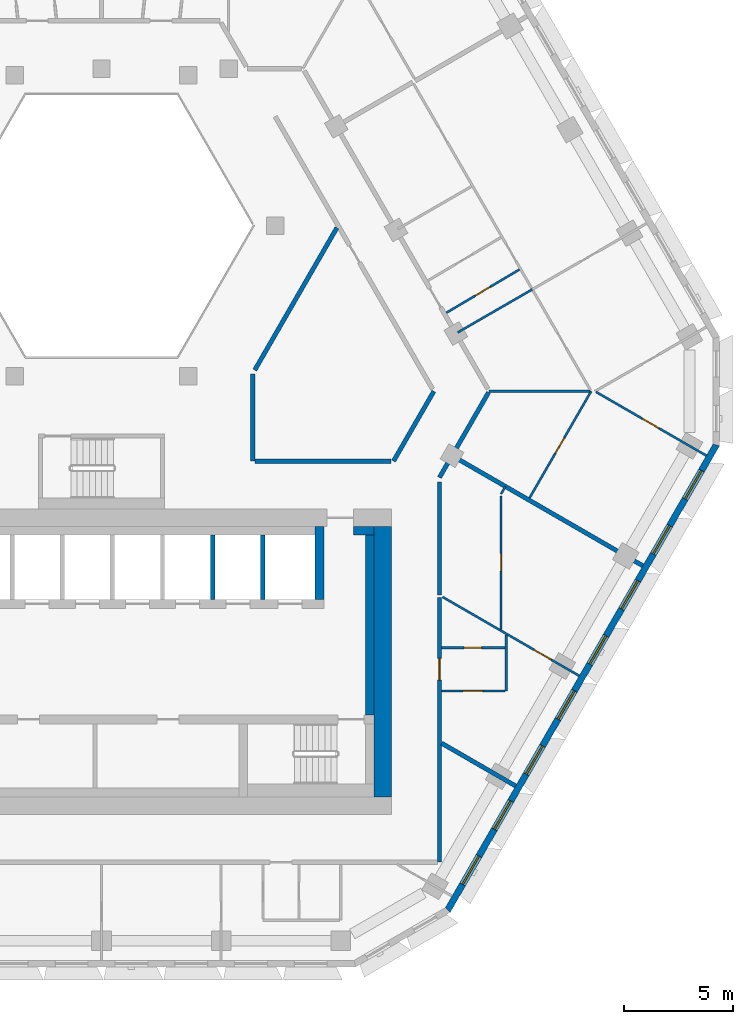
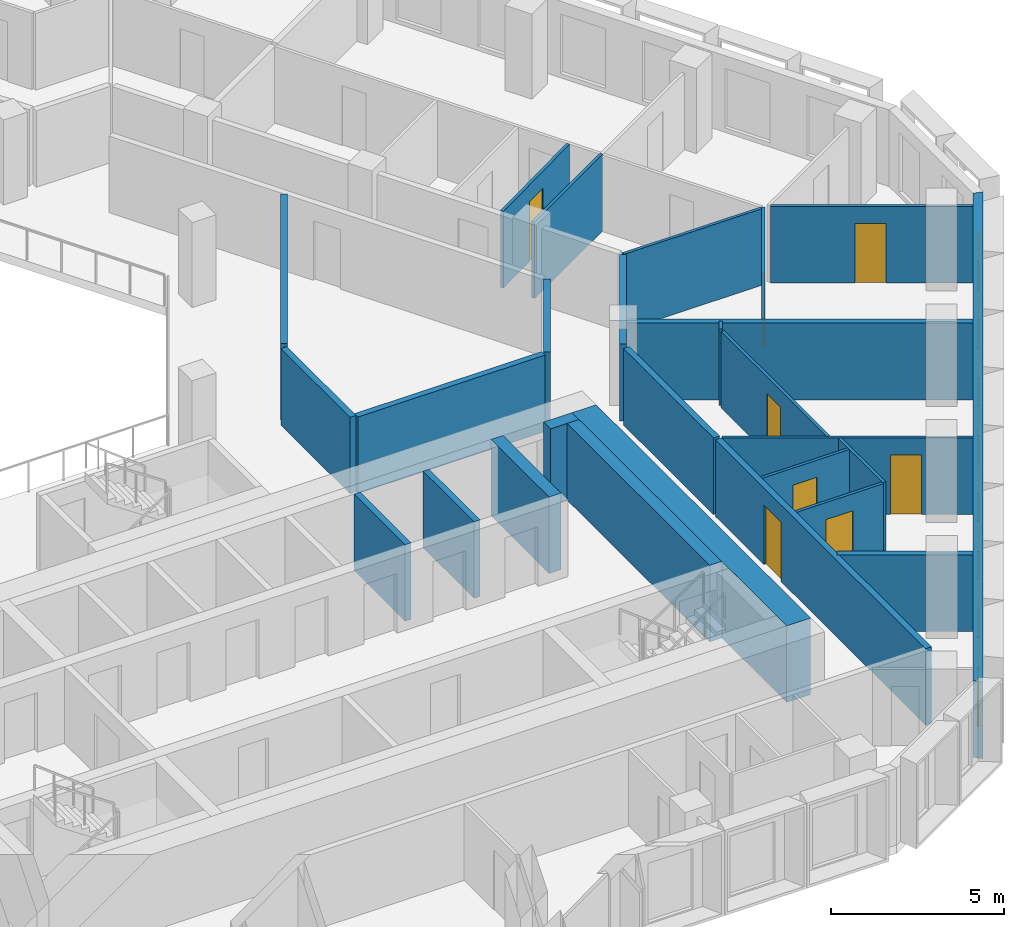
# One storey, part 6 of 17: 27 walls, 8 doors, 8 windows, 16 openings.
"""IFC4 building model written with IfcOpenShell, lengths in metres."""

from ifc_helpers import new_model, si_unit, direction, frame, frame_2d, origin, place, context, subcontext, project, spatial, polyline, rectangle, outline, extrude, material, layer, layer_set, type_object, element, fill, save


model = new_model("IFC4")

# Units and contexts
model_context = context("Model", 3, precision=1e-05, world=origin(), true_north=direction((0.0, 1.0)))
body_context = subcontext(model_context, "Body", "Model", "MODEL_VIEW")
ifc_project = project(units=[si_unit("LENGTHUNIT", "METRE"), si_unit("AREAUNIT", "SQUARE_METRE"), si_unit("VOLUMEUNIT", "CUBIC_METRE"), si_unit("PLANEANGLEUNIT", "RADIAN"), si_unit("MASSUNIT", "GRAM", prefix="KILO")], contexts=[model_context])

# Site, building, storey
site_placement = place(None, origin())
site = spatial("IfcSite", under=ifc_project, at=site_placement, CompositionType="ELEMENT")
building_placement = place(site_placement, origin())
building = spatial("IfcBuilding", under=site, at=building_placement, Name="Beryl Residences", CompositionType="ELEMENT")
storey_placement = place(building_placement, frame((0.0, 0.0, 144.60009765625)))
storey = spatial("IfcBuildingStorey", under=building, at=storey_placement, Name="L44", CompositionType="ELEMENT", Elevation=144.60009765625)

# Wall, openings, windows
ifc_material_1 = material(Name="Composite metal panel with mineral wool insulation")
ifc_layer_1 = layer(ifc_material_1, 0.300048828125)
ifc_layer_set_1 = layer_set([ifc_layer_1], Name="ES1 pale metal composite panel wall 300 mm")
wall_type_1 = type_object("IfcWallType", Name="ES1 pale metal composite panel wall 300 mm", PredefinedType="SOLIDWALL", material=ifc_layer_set_1)
wall_1_placement = place(storey_placement, frame((15.862060546875, -23.425048828125, 0.0), z_axis=(0.0, 0.0, 1.0), x_axis=(0.500017503135, 0.866015298109, 0.0)))
wall_1 = element("IfcWall", 1, at=wall_1_placement, inside=storey, type_object=wall_type_1, Name="ES1 external wall L44 SE", PredefinedType="SOLIDWALL", context=body_context, shape_type="SweptSolid", body=[
    extrude(outline(polyline([(0.0, -0.14990234375), (24.7109375, -0.14990234375), (24.630615234375, 0.14990234375), (0.080322265625, 0.14990234375), (0.0, -0.14990234375)])), origin(), (0.0, 0.0, 1.0), 2.699951171875),
])
opening_1_placement = place(wall_1_placement, frame((1.39990234375, 0.0, 0.14990234375)))
opening_1 = element("IfcOpeningElement", 2, at=opening_1_placement, cuts=wall_1, Name="Opening W1", PredefinedType="OPENING", context=body_context, shape_type="SweptSolid", body=[
    extrude(rectangle(XDim=1.5, YDim=2.10009765625, at=frame_2d((0.75, 1.050048828125))), frame((0.0, 0.159912109375, 0.0), z_axis=(0.0, -1.0, 0.0), x_axis=(1.0, 0.0, 0.0)), (0.0, 0.0, 1.0), 0.320068359375),
])
opening_2_placement = place(wall_1_placement, frame((4.31591796875, 0.0, 0.14990234375)))
opening_2 = element("IfcOpeningElement", 3, at=opening_2_placement, cuts=wall_1, Name="Opening W1", PredefinedType="OPENING", context=body_context, shape_type="SweptSolid", body=[
    extrude(rectangle(XDim=1.5, YDim=2.10009765625, at=frame_2d((0.75, 1.050048828125))), frame((0.0, 0.159912109375, 0.0), z_axis=(0.0, -1.0, 0.0), x_axis=(1.0, 0.0, 0.0)), (0.0, 0.0, 1.0), 0.320068359375),
])
opening_3_placement = place(wall_1_placement, frame((7.23095703125, 0.0, 0.14990234375)))
opening_3 = element("IfcOpeningElement", 4, at=opening_3_placement, cuts=wall_1, Name="Opening W1", PredefinedType="OPENING", context=body_context, shape_type="SweptSolid", body=[
    extrude(rectangle(XDim=1.5, YDim=2.10009765625, at=frame_2d((0.75, 1.050048828125))), frame((0.0, 0.159912109375, 0.0), z_axis=(0.0, -1.0, 0.0), x_axis=(1.0, 0.0, 0.0)), (0.0, 0.0, 1.0), 0.320068359375),
])
opening_4_placement = place(wall_1_placement, frame((10.14697265625, 0.0, 0.14990234375)))
opening_4 = element("IfcOpeningElement", 5, at=opening_4_placement, cuts=wall_1, Name="Opening W1", PredefinedType="OPENING", context=body_context, shape_type="SweptSolid", body=[
    extrude(rectangle(XDim=1.5, YDim=2.10009765625, at=frame_2d((0.75, 1.050048828125))), frame((0.0, 0.159912109375, 0.0), z_axis=(0.0, -1.0, 0.0), x_axis=(1.0, 0.0, 0.0)), (0.0, 0.0, 1.0), 0.320068359375),
])
opening_5_placement = place(wall_1_placement, frame((13.06201171875, 0.0, 0.14990234375)))
opening_5 = element("IfcOpeningElement", 6, at=opening_5_placement, cuts=wall_1, Name="Opening W1", PredefinedType="OPENING", context=body_context, shape_type="SweptSolid", body=[
    extrude(rectangle(XDim=1.5, YDim=2.10009765625, at=frame_2d((0.75, 1.050048828125))), frame((0.0, 0.159912109375, 0.0), z_axis=(0.0, -1.0, 0.0), x_axis=(1.0, 0.0, 0.0)), (0.0, 0.0, 1.0), 0.320068359375),
])
opening_6_placement = place(wall_1_placement, frame((15.97705078125, 0.0, 0.14990234375)))
opening_6 = element("IfcOpeningElement", 7, at=opening_6_placement, cuts=wall_1, Name="Opening W1", PredefinedType="OPENING", context=body_context, shape_type="SweptSolid", body=[
    extrude(rectangle(XDim=1.5, YDim=2.10009765625, at=frame_2d((0.75, 1.050048828125))), frame((0.0, 0.159912109375, 0.0), z_axis=(0.0, -1.0, 0.0), x_axis=(1.0, 0.0, 0.0)), (0.0, 0.0, 1.0), 0.320068359375),
])
opening_7_placement = place(wall_1_placement, frame((18.89306640625, 0.0, 0.14990234375)))
opening_7 = element("IfcOpeningElement", 8, at=opening_7_placement, cuts=wall_1, Name="Opening W1", PredefinedType="OPENING", context=body_context, shape_type="SweptSolid", body=[
    extrude(rectangle(XDim=1.5, YDim=2.10009765625, at=frame_2d((0.75, 1.050048828125))), frame((0.0, 0.159912109375, 0.0), z_axis=(0.0, -1.0, 0.0), x_axis=(1.0, 0.0, 0.0)), (0.0, 0.0, 1.0), 0.320068359375),
])
opening_8_placement = place(wall_1_placement, frame((21.80908203125, 0.0, 0.14990234375)))
opening_8 = element("IfcOpeningElement", 9, at=opening_8_placement, cuts=wall_1, Name="Opening W1", PredefinedType="OPENING", context=body_context, shape_type="SweptSolid", body=[
    extrude(rectangle(XDim=1.5, YDim=2.10009765625, at=frame_2d((0.75, 1.050048828125))), frame((0.0, 0.159912109375, 0.0), z_axis=(0.0, -1.0, 0.0), x_axis=(1.0, 0.0, 0.0)), (0.0, 0.0, 1.0), 0.320068359375),
])
ifc_material_2 = material(Name="Aluminium and clear glass", Category="aluminium")
window_type = type_object("IfcWindowType", Name="W1 cell window 1500 x 2100 mm", PartitioningType="SINGLE_PANEL", PredefinedType="WINDOW", material=ifc_material_2)
window_1_placement = place(opening_1_placement, origin())
window_1 = element("IfcWindow", 10, at=window_1_placement, inside=storey, type_object=window_type, Name="W1 window L44 SE 1", OverallHeight=2.10009765625, OverallWidth=1.5, PartitioningType="SINGLE_PANEL", PredefinedType="WINDOW", context=body_context, shape_type="SweptSolid", body=[
    extrude(rectangle(XDim=1.5, YDim=2.10009765625, at=frame_2d((0.75, 1.050048828125))), frame((0.0, 0.030029296875, 0.0), z_axis=(0.0, -1.0, 0.0), x_axis=(1.0, 0.0, 0.0)), (0.0, 0.0, 1.0), 0.06005859375),
])
fill(opening_1, window_1)
window_2_placement = place(opening_2_placement, origin())
window_2 = element("IfcWindow", 11, at=window_2_placement, inside=storey, type_object=window_type, Name="W1 window L44 SE 2", OverallHeight=2.10009765625, OverallWidth=1.5, PartitioningType="SINGLE_PANEL", PredefinedType="WINDOW", context=body_context, shape_type="SweptSolid", body=[
    extrude(rectangle(XDim=1.5, YDim=2.10009765625, at=frame_2d((0.75, 1.050048828125))), frame((0.0, 0.030029296875, 0.0), z_axis=(0.0, -1.0, 0.0), x_axis=(1.0, 0.0, 0.0)), (0.0, 0.0, 1.0), 0.06005859375),
])
fill(opening_2, window_2)
window_3_placement = place(opening_3_placement, origin())
window_3 = element("IfcWindow", 12, at=window_3_placement, inside=storey, type_object=window_type, Name="W1 window L44 SE 3", OverallHeight=2.10009765625, OverallWidth=1.5, PartitioningType="SINGLE_PANEL", PredefinedType="WINDOW", context=body_context, shape_type="SweptSolid", body=[
    extrude(rectangle(XDim=1.5, YDim=2.10009765625, at=frame_2d((0.75, 1.050048828125))), frame((0.0, 0.030029296875, 0.0), z_axis=(0.0, -1.0, 0.0), x_axis=(1.0, 0.0, 0.0)), (0.0, 0.0, 1.0), 0.06005859375),
])
fill(opening_3, window_3)
window_4_placement = place(opening_4_placement, origin())
window_4 = element("IfcWindow", 13, at=window_4_placement, inside=storey, type_object=window_type, Name="W1 window L44 SE 4", OverallHeight=2.10009765625, OverallWidth=1.5, PartitioningType="SINGLE_PANEL", PredefinedType="WINDOW", context=body_context, shape_type="SweptSolid", body=[
    extrude(rectangle(XDim=1.5, YDim=2.10009765625, at=frame_2d((0.75, 1.050048828125))), frame((0.0, 0.030029296875, 0.0), z_axis=(0.0, -1.0, 0.0), x_axis=(1.0, 0.0, 0.0)), (0.0, 0.0, 1.0), 0.06005859375),
])
fill(opening_4, window_4)
window_5_placement = place(opening_5_placement, origin())
window_5 = element("IfcWindow", 14, at=window_5_placement, inside=storey, type_object=window_type, Name="W1 window L44 SE 5", OverallHeight=2.10009765625, OverallWidth=1.5, PartitioningType="SINGLE_PANEL", PredefinedType="WINDOW", context=body_context, shape_type="SweptSolid", body=[
    extrude(rectangle(XDim=1.5, YDim=2.10009765625, at=frame_2d((0.75, 1.050048828125))), frame((0.0, 0.030029296875, 0.0), z_axis=(0.0, -1.0, 0.0), x_axis=(1.0, 0.0, 0.0)), (0.0, 0.0, 1.0), 0.06005859375),
])
fill(opening_5, window_5)
window_6_placement = place(opening_6_placement, origin())
window_6 = element("IfcWindow", 15, at=window_6_placement, inside=storey, type_object=window_type, Name="W1 window L44 SE 6", OverallHeight=2.10009765625, OverallWidth=1.5, PartitioningType="SINGLE_PANEL", PredefinedType="WINDOW", context=body_context, shape_type="SweptSolid", body=[
    extrude(rectangle(XDim=1.5, YDim=2.10009765625, at=frame_2d((0.75, 1.050048828125))), frame((0.0, 0.030029296875, 0.0), z_axis=(0.0, -1.0, 0.0), x_axis=(1.0, 0.0, 0.0)), (0.0, 0.0, 1.0), 0.06005859375),
])
fill(opening_6, window_6)
window_7_placement = place(opening_7_placement, origin())
window_7 = element("IfcWindow", 16, at=window_7_placement, inside=storey, type_object=window_type, Name="W1 window L44 SE 7", OverallHeight=2.10009765625, OverallWidth=1.5, PartitioningType="SINGLE_PANEL", PredefinedType="WINDOW", context=body_context, shape_type="SweptSolid", body=[
    extrude(rectangle(XDim=1.5, YDim=2.10009765625, at=frame_2d((0.75, 1.050048828125))), frame((0.0, 0.030029296875, 0.0), z_axis=(0.0, -1.0, 0.0), x_axis=(1.0, 0.0, 0.0)), (0.0, 0.0, 1.0), 0.06005859375),
])
fill(opening_7, window_7)
window_8_placement = place(opening_8_placement, origin())
window_8 = element("IfcWindow", 17, at=window_8_placement, inside=storey, type_object=window_type, Name="W1 window L44 SE 8", OverallHeight=2.10009765625, OverallWidth=1.5, PartitioningType="SINGLE_PANEL", PredefinedType="WINDOW", context=body_context, shape_type="SweptSolid", body=[
    extrude(rectangle(XDim=1.5, YDim=2.10009765625, at=frame_2d((0.75, 1.050048828125))), frame((0.0, 0.030029296875, 0.0), z_axis=(0.0, -1.0, 0.0), x_axis=(1.0, 0.0, 0.0)), (0.0, 0.0, 1.0), 0.06005859375),
])
fill(opening_8, window_8)

# Wall, opening, door
ifc_material_3 = material(Name="Gypsum board partition on steel studs", Category="steel")
ifc_layer_2 = layer(ifc_material_3, 0.10009765625)
ifc_layer_set_2 = layer_set([ifc_layer_2], Name="PT1 partition 100 mm gypsum board on steel studs")
wall_type_2 = type_object("IfcWallType", Name="PT1 partition 100 mm gypsum board on steel studs", PredefinedType="PARTITIONING", material=ifc_layer_set_2)
wall_2_placement = place(storey_placement, frame((18.324951171875, -4.408935546875, 0.0), z_axis=(0.0, 0.0, 1.0), x_axis=(0.0, -1.0, 0.0)))
wall_2 = element("IfcWall", 18, at=wall_2_placement, inside=storey, type_object=wall_type_2, Name="Wall PT1 L44 010", PredefinedType="PARTITIONING", context=body_context, shape_type="SweptSolid", body=[
    extrude(rectangle(XDim=6.114990234375, YDim=0.10009765625, at=frame_2d((3.0576171875, 0.0))), origin(), (0.0, 0.0, 1.0), 2.699951171875),
])
opening_9_placement = place(wall_2_placement, frame((2.635986328125, 0.0, 0.0)))
opening_9 = element("IfcOpeningElement", 19, at=opening_9_placement, cuts=wall_2, Name="Opening D1119", PredefinedType="OPENING", context=body_context, shape_type="SweptSolid", body=[
    extrude(rectangle(XDim=0.800048828125, YDim=2.10009765625, at=frame_2d((0.39990234375, 1.050048828125))), frame((0.0, 0.06005859375, 0.0), z_axis=(0.0, -1.0, 0.0), x_axis=(1.0, 0.0, 0.0)), (0.0, 0.0, 1.0), 0.1201171875),
])
ifc_material_4 = material(Name="Timber door leaf", Category="wood")
door_type_1 = type_object("IfcDoorType", Name="D3 bathroom door 800 x 2100 mm", OperationType="SINGLE_SWING_LEFT", PredefinedType="DOOR", material=ifc_material_4)
door_1_placement = place(opening_9_placement, origin())
door_1 = element("IfcDoor", 20, at=door_1_placement, inside=storey, type_object=door_type_1, Name="Door D1119 L44 001", OperationType="SINGLE_SWING_LEFT", OverallHeight=2.10009765625, OverallWidth=0.800048828125, PredefinedType="DOOR", context=body_context, shape_type="SweptSolid", body=[
    extrude(rectangle(XDim=0.800048828125, YDim=2.10009765625, at=frame_2d((0.39990234375, 1.050048828125))), frame((0.0, 0.02490234375, 0.0), z_axis=(0.0, -1.0, 0.0), x_axis=(1.0, 0.0, 0.0)), (0.0, 0.0, 1.0), 0.050048828125),
])
fill(opening_9, door_1)

wall_3_placement = place(storey_placement, frame((15.64111328125, -9.031982421875, 0.0), z_axis=(0.0, 0.0, 1.0), x_axis=(0.866049104564, -0.499958946799, 0.0)))
wall_3 = element("IfcWall", 21, at=wall_3_placement, inside=storey, type_object=wall_type_2, Name="Wall PT1 L44 016", PredefinedType="PARTITIONING", context=body_context, shape_type="SweptSolid", body=[
    extrude(rectangle(XDim=7.23828125, YDim=0.10009765625, at=frame_2d((3.619140625, 0.0))), origin(), (0.0, 0.0, 1.0), 2.699951171875),
])
opening_10_placement = place(wall_3_placement, frame((4.85400390625, 0.0, 0.0)))
opening_10 = element("IfcOpeningElement", 22, at=opening_10_placement, cuts=wall_3, Name="Opening D1118", PredefinedType="OPENING", context=body_context, shape_type="SweptSolid", body=[
    extrude(rectangle(XDim=0.89990234375, YDim=2.10009765625, at=frame_2d((0.449951171875, 1.050048828125))), frame((0.0, 0.06005859375, 0.0), z_axis=(0.0, -1.0, 0.0), x_axis=(1.0, 0.0, 0.0)), (0.0, 0.0, 1.0), 0.1201171875),
])
ifc_material_5 = material(Name="Timber door leaf", Category="wood")
door_type_2 = type_object("IfcDoorType", Name="D2 room door 900 x 2100 mm", OperationType="SINGLE_SWING_LEFT", PredefinedType="DOOR", material=ifc_material_5)
door_2_placement = place(opening_10_placement, origin())
door_2 = element("IfcDoor", 23, at=door_2_placement, inside=storey, type_object=door_type_2, Name="Door D1118 L44 001", OperationType="SINGLE_SWING_RIGHT", OverallHeight=2.10009765625, OverallWidth=0.89990234375, PredefinedType="DOOR", context=body_context, shape_type="SweptSolid", body=[
    extrude(rectangle(XDim=0.89990234375, YDim=2.10009765625, at=frame_2d((0.449951171875, 1.050048828125))), frame((0.0, 0.02490234375, 0.0), z_axis=(0.0, -1.0, 0.0), x_axis=(1.0, 0.0, 0.0)), (0.0, 0.0, 1.0), 0.050048828125),
])
fill(opening_10, door_2)

wall_4_placement = place(storey_placement, frame((22.678955078125, 0.3720703125, 0.0), z_axis=(0.0, 0.0, 1.0), x_axis=(0.865985260119, -0.500069524424, 0.0)))
wall_4 = element("IfcWall", 24, at=wall_4_placement, inside=storey, type_object=wall_type_2, Name="Wall PT1 L44 018", PredefinedType="PARTITIONING", context=body_context, shape_type="SweptSolid", body=[
    extrude(rectangle(XDim=5.845458984375, YDim=0.10009765625, at=frame_2d((2.9228515625, 0.0))), origin(), (0.0, 0.0, 1.0), 2.699951171875),
])
opening_11_placement = place(wall_4_placement, frame((2.444091796875, 0.0, 0.0)))
opening_11 = element("IfcOpeningElement", 25, at=opening_11_placement, cuts=wall_4, Name="Opening D1128", PredefinedType="OPENING", context=body_context, shape_type="SweptSolid", body=[
    extrude(rectangle(XDim=0.89990234375, YDim=2.10009765625, at=frame_2d((0.449951171875, 1.050048828125))), frame((0.0, 0.06005859375, 0.0), z_axis=(0.0, -1.0, 0.0), x_axis=(1.0, 0.0, 0.0)), (0.0, 0.0, 1.0), 0.1201171875),
])
door_3_placement = place(opening_11_placement, origin())
door_3 = element("IfcDoor", 26, at=door_3_placement, inside=storey, type_object=door_type_2, Name="Door D1128 L44 001", OperationType="SINGLE_SWING_RIGHT", OverallHeight=2.10009765625, OverallWidth=0.89990234375, PredefinedType="DOOR", context=body_context, shape_type="SweptSolid", body=[
    extrude(rectangle(XDim=0.89990234375, YDim=2.10009765625, at=frame_2d((0.449951171875, 1.050048828125))), frame((0.0, 0.02490234375, 0.0), z_axis=(0.0, -1.0, 0.0), x_axis=(1.0, 0.0, 0.0)), (0.0, 0.0, 1.0), 0.050048828125),
])
fill(opening_11, door_3)

wall_5_placement = place(storey_placement, frame((15.60009765625, -11.362060546875, 0.0), z_axis=(0.0, 0.0, 1.0), x_axis=(1.0, 0.0, 0.0)))
wall_5 = element("IfcWall", 27, at=wall_5_placement, inside=storey, type_object=wall_type_2, Name="Wall PT1 L44 019", PredefinedType="PARTITIONING", context=body_context, shape_type="SweptSolid", body=[
    extrude(rectangle(XDim=2.909912109375, YDim=0.10009765625, at=frame_2d((1.455078125, 0.0))), origin(), (0.0, 0.0, 1.0), 2.699951171875),
])
opening_12_placement = place(wall_5_placement, frame((1.030029296875, 0.0, 0.0)))
opening_12 = element("IfcOpeningElement", 28, at=opening_12_placement, cuts=wall_5, Name="Opening D1117", PredefinedType="OPENING", context=body_context, shape_type="SweptSolid", body=[
    extrude(rectangle(XDim=0.800048828125, YDim=2.10009765625, at=frame_2d((0.39990234375, 1.050048828125))), frame((0.0, 0.06005859375, 0.0), z_axis=(0.0, -1.0, 0.0), x_axis=(1.0, 0.0, 0.0)), (0.0, 0.0, 1.0), 0.1201171875),
])
door_4_placement = place(opening_12_placement, origin())
door_4 = element("IfcDoor", 29, at=door_4_placement, inside=storey, type_object=door_type_1, Name="Door D1117 L44 001", OperationType="SINGLE_SWING_LEFT", OverallHeight=2.10009765625, OverallWidth=0.800048828125, PredefinedType="DOOR", context=body_context, shape_type="SweptSolid", body=[
    extrude(rectangle(XDim=0.800048828125, YDim=2.10009765625, at=frame_2d((0.39990234375, 1.050048828125))), frame((0.0, 0.02490234375, 0.0), z_axis=(0.0, -1.0, 0.0), x_axis=(1.0, 0.0, 0.0)), (0.0, 0.0, 1.0), 0.050048828125),
])
fill(opening_12, door_4)

wall_6_placement = place(storey_placement, frame((15.60009765625, -13.342041015625, 0.0), z_axis=(0.0, 0.0, 1.0), x_axis=(1.0, 0.0, 0.0)))
wall_6 = element("IfcWall", 30, at=wall_6_placement, inside=storey, type_object=wall_type_2, Name="Wall PT1 L44 020", PredefinedType="PARTITIONING", context=body_context, shape_type="SweptSolid", body=[
    extrude(rectangle(XDim=2.908935546875, YDim=0.10009765625, at=frame_2d((1.45458984375, 0.0))), origin(), (0.0, 0.0, 1.0), 2.699951171875),
])
opening_13_placement = place(wall_6_placement, frame((0.97998046875, 0.0, 0.0)))
opening_13 = element("IfcOpeningElement", 31, at=opening_13_placement, cuts=wall_6, Name="Opening D1116", PredefinedType="OPENING", context=body_context, shape_type="SweptSolid", body=[
    extrude(rectangle(XDim=0.89990234375, YDim=2.10009765625, at=frame_2d((0.449951171875, 1.050048828125))), frame((0.0, 0.06005859375, 0.0), z_axis=(0.0, -1.0, 0.0), x_axis=(1.0, 0.0, 0.0)), (0.0, 0.0, 1.0), 0.1201171875),
])
door_5_placement = place(opening_13_placement, origin())
door_5 = element("IfcDoor", 32, at=door_5_placement, inside=storey, type_object=door_type_2, Name="Door D1116 L44 001", OperationType="SINGLE_SWING_RIGHT", OverallHeight=2.10009765625, OverallWidth=0.89990234375, PredefinedType="DOOR", context=body_context, shape_type="SweptSolid", body=[
    extrude(rectangle(XDim=0.89990234375, YDim=2.10009765625, at=frame_2d((0.449951171875, 1.050048828125))), frame((0.0, 0.02490234375, 0.0), z_axis=(0.0, -1.0, 0.0), x_axis=(1.0, 0.0, 0.0)), (0.0, 0.0, 1.0), 0.050048828125),
])
fill(opening_13, door_5)

# Walls
wall_7_placement = place(storey_placement, frame((17.781982421875, 0.40087890625, 0.0), z_axis=(0.0, 0.0, 1.0), x_axis=(1.0, 0.0, 0.0)))
element("IfcWall", 33, at=wall_7_placement, inside=storey, type_object=wall_type_2, Name="Wall PT1 L44 024", PredefinedType="PARTITIONING", context=body_context, shape_type="SweptSolid", body=[
    extrude(rectangle(XDim=4.615966796875, YDim=0.10009765625, at=frame_2d((2.30810546875, 0.0))), origin(), (0.0, 0.0, 1.0), 2.699951171875),
])
wall_8_placement = place(storey_placement, frame((18.324951171875, -4.30908203125, 0.0), z_axis=(0.0, 0.0, 1.0), x_axis=(0.5014706583, 0.865174652232, 0.0)))
element("IfcWall", 34, at=wall_8_placement, inside=storey, type_object=wall_type_2, Name="Wall PT1 L44 030", PredefinedType="PARTITIONING", context=body_context, shape_type="SweptSolid", body=[
    extrude(rectangle(XDim=0.398681640625, YDim=0.10009765625, at=frame_2d((0.19921875, 0.0))), origin(), (0.0, 0.0, 1.0), 2.699951171875),
])

# Wall, opening, door
wall_9_placement = place(storey_placement, frame((19.633056640625, -4.488037109375, 0.0), z_axis=(0.0, 0.0, 1.0), x_axis=(0.500050624552, 0.865996173713, 0.0)))
wall_9 = element("IfcWall", 35, at=wall_9_placement, inside=storey, type_object=wall_type_2, Name="Wall PT1 L44 031", PredefinedType="PARTITIONING", context=body_context, shape_type="SweptSolid", body=[
    extrude(rectangle(XDim=5.6455078125, YDim=0.10009765625, at=frame_2d((2.82275390625, 0.0))), origin(), (0.0, 0.0, 1.0), 2.699951171875),
])
opening_14_placement = place(wall_9_placement, frame((2.3720703125, 0.0, 0.0)))
opening_14 = element("IfcOpeningElement", 36, at=opening_14_placement, cuts=wall_9, Name="Opening D1129", PredefinedType="OPENING", context=body_context, shape_type="SweptSolid", body=[
    extrude(rectangle(XDim=0.800048828125, YDim=2.10009765625, at=frame_2d((0.39990234375, 1.050048828125))), frame((0.0, 0.06005859375, 0.0), z_axis=(0.0, -1.0, 0.0), x_axis=(1.0, 0.0, 0.0)), (0.0, 0.0, 1.0), 0.1201171875),
])
door_6_placement = place(opening_14_placement, origin())
door_6 = element("IfcDoor", 37, at=door_6_placement, inside=storey, type_object=door_type_1, Name="Door D1129 L44 001", OperationType="SINGLE_SWING_LEFT", OverallHeight=2.10009765625, OverallWidth=0.800048828125, PredefinedType="DOOR", context=body_context, shape_type="SweptSolid", body=[
    extrude(rectangle(XDim=0.800048828125, YDim=2.10009765625, at=frame_2d((0.39990234375, 1.050048828125))), frame((0.0, 0.02490234375, 0.0), z_axis=(0.0, -1.0, 0.0), x_axis=(1.0, 0.0, 0.0)), (0.0, 0.0, 1.0), 0.050048828125),
])
fill(opening_14, door_6)

# Walls
wall_10_placement = place(storey_placement, frame((18.56005859375, -13.341064453125, 0.0), z_axis=(0.0, 0.0, 1.0), x_axis=(0.0, 1.0, 0.0)))
element("IfcWall", 38, at=wall_10_placement, inside=storey, type_object=wall_type_2, Name="Wall PT1 L44 043", PredefinedType="PARTITIONING", context=body_context, shape_type="SweptSolid", body=[
    extrude(rectangle(XDim=2.566162109375, YDim=0.10009765625, at=frame_2d((1.283203125, 0.0))), origin(), (0.0, 0.0, 1.0), 2.699951171875),
])
wall_11_placement = place(storey_placement, frame((16.339111328125, 3.10009765625, 0.0), z_axis=(0.0, 0.0, 1.0), x_axis=(0.866031112038, 0.499990112884, 0.0)))
element("IfcWall", 39, at=wall_11_placement, inside=storey, type_object=wall_type_2, Name="Wall PT1 L44 050", PredefinedType="PARTITIONING", context=body_context, shape_type="SweptSolid", body=[
    extrude(rectangle(XDim=3.94775390625, YDim=0.10009765625, at=frame_2d((1.973876953125, 0.0))), origin(), (0.0, 0.0, 1.0), 2.699951171875),
])

# Wall, opening, door
wall_12_placement = place(storey_placement, frame((15.818115234375, 4.001953125, 0.0), z_axis=(0.0, 0.0, 1.0), x_axis=(0.860457323494, 0.509522516132, 0.0)))
wall_12 = element("IfcWall", 40, at=wall_12_placement, inside=storey, type_object=wall_type_2, Name="Wall PT1 L44 057", PredefinedType="PARTITIONING", context=body_context, shape_type="SweptSolid", body=[
    extrude(rectangle(XDim=3.89794921875, YDim=0.10009765625, at=frame_2d((1.948974609375, 0.0))), origin(), (0.0, 0.0, 1.0), 2.699951171875),
])
opening_15_placement = place(wall_12_placement, frame((1.52392578125, 0.0, 0.0)))
opening_15 = element("IfcOpeningElement", 41, at=opening_15_placement, cuts=wall_12, Name="Opening D1121", PredefinedType="OPENING", context=body_context, shape_type="SweptSolid", body=[
    extrude(rectangle(XDim=0.800048828125, YDim=2.10009765625, at=frame_2d((0.39990234375, 1.050048828125))), frame((0.0, 0.06005859375, 0.0), z_axis=(0.0, -1.0, 0.0), x_axis=(1.0, 0.0, 0.0)), (0.0, 0.0, 1.0), 0.1201171875),
])
door_7_placement = place(opening_15_placement, origin())
door_7 = element("IfcDoor", 42, at=door_7_placement, inside=storey, type_object=door_type_1, Name="Door D1121 L44 001", OperationType="SINGLE_SWING_LEFT", OverallHeight=2.10009765625, OverallWidth=0.800048828125, PredefinedType="DOOR", context=body_context, shape_type="SweptSolid", body=[
    extrude(rectangle(XDim=0.800048828125, YDim=2.10009765625, at=frame_2d((0.39990234375, 1.050048828125))), frame((0.0, 0.02490234375, 0.0), z_axis=(0.0, -1.0, 0.0), x_axis=(1.0, 0.0, 0.0)), (0.0, 0.0, 1.0), 0.050048828125),
])
fill(opening_15, door_7)

# Walls
ifc_material_6 = material(Name="Concrete masonry", Category="masonry")
ifc_layer_3 = layer(ifc_material_6, 0.39990234375)
ifc_layer_set_3 = layer_set([ifc_layer_3], Name="PT13-400 lobby wall 400 mm")
wall_type_3 = type_object("IfcWallType", Name="PT13-400 lobby wall 400 mm", PredefinedType="PARTITIONING", material=ifc_layer_set_3)
wall_13_placement = place(storey_placement, frame((11.550048828125, -6.0, 0.0), z_axis=(0.0, 0.0, 1.0), x_axis=(1.0, 0.0, 0.0)))
element("IfcWall", 43, at=wall_13_placement, inside=storey, type_object=wall_type_3, Name="Lobby wall 22", PredefinedType="PARTITIONING", context=body_context, shape_type="SweptSolid", body=[
    extrude(rectangle(XDim=0.949951171875, YDim=0.39990234375, at=frame_2d((0.47509765625, 0.0))), origin(), (0.0, 0.0, 1.0), 2.699951171875),
])
wall_14_placement = place(storey_placement, frame((12.300048828125, -14.449951171875, 0.0), z_axis=(0.0, 0.0, 1.0), x_axis=(0.0, 1.0, 0.0)))
element("IfcWall", 44, at=wall_14_placement, inside=storey, type_object=wall_type_3, Name="Lobby wall 24", PredefinedType="PARTITIONING", context=body_context, shape_type="SweptSolid", body=[
    extrude(rectangle(XDim=8.25, YDim=0.39990234375, at=frame_2d((4.125, 0.0))), origin(), (0.0, 0.0, 1.0), 2.699951171875),
])
ifc_material_7 = material(Name="Acoustic double stud gypsum board wall")
ifc_layer_4 = layer(ifc_material_7, 0.199951171875)
ifc_layer_set_4 = layer_set([ifc_layer_4], Name="PT3 party wall 200 mm acoustic double stud")
wall_type_4 = type_object("IfcWallType", Name="PT3 party wall 200 mm acoustic double stud", PredefinedType="PARTITIONING", material=ifc_layer_set_4)
wall_15_placement = place(storey_placement, frame((15.60009765625, -15.740966796875, 0.0), z_axis=(0.0, 0.0, 1.0), x_axis=(0.865964599155, -0.500105301922, 0.0)))
element("IfcWall", 45, at=wall_15_placement, inside=storey, type_object=wall_type_4, Name="Wall PT3 L44 005", PredefinedType="PARTITIONING", context=body_context, shape_type="SweptSolid", body=[
    extrude(rectangle(XDim=3.919189453125, YDim=0.199951171875, at=frame_2d((1.95947265625, 0.0))), origin(), (0.0, 0.0, 1.0), 2.699951171875),
])
wall_16_placement = place(storey_placement, frame((16.1650390625, -2.60107421875, 0.0), z_axis=(0.0, 0.0, 1.0), x_axis=(0.866016855193, -0.500014806302, 0.0)))
element("IfcWall", 46, at=wall_16_placement, inside=storey, type_object=wall_type_4, Name="Wall PT3 L44 006", PredefinedType="PARTITIONING", context=body_context, shape_type="SweptSolid", body=[
    extrude(rectangle(XDim=9.999755859375, YDim=0.199951171875, at=frame_2d((5.0, 0.0))), origin(), (0.0, 0.0, 1.0), 2.699951171875),
])
ifc_material_8 = material(Name="Double stud gypsum board wall")
ifc_layer_5 = layer(ifc_material_8, 0.199951171875)
ifc_layer_set_5 = layer_set([ifc_layer_5], Name="PT4 corridor wall 200 mm double stud")
wall_type_5 = type_object("IfcWallType", Name="PT4 corridor wall 200 mm double stud", PredefinedType="PARTITIONING", material=ifc_layer_set_5)
wall_17_placement = place(storey_placement, frame((15.5, -3.751953125, 0.0), z_axis=(0.0, 0.0, 1.0), x_axis=(0.0, -1.0, 0.0)))
element("IfcWall", 47, at=wall_17_placement, inside=storey, type_object=wall_type_5, Name="Wall PT4 L44 009", PredefinedType="PARTITIONING", context=body_context, shape_type="SweptSolid", body=[
    extrude(rectangle(XDim=5.197998046875, YDim=0.199951171875, at=frame_2d((2.59912109375, 0.0))), origin(), (0.0, 0.0, 1.0), 2.699951171875),
])
wall_18_placement = place(storey_placement, frame((7.028076171875, -2.800048828125, 0.0), z_axis=(0.0, 0.0, 1.0), x_axis=(1.0, 0.0, 0.0)))
element("IfcWall", 48, at=wall_18_placement, inside=storey, type_object=wall_type_5, Name="Wall PT4 L44 014", PredefinedType="PARTITIONING", context=body_context, shape_type="SweptSolid", body=[
    extrude(rectangle(XDim=6.25, YDim=0.199951171875, at=frame_2d((3.125, 0.0))), origin(), (0.0, 0.0, 1.0), 2.699951171875),
])
wall_19_placement = place(storey_placement, frame((7.028076171875, 1.373046875, 0.0), z_axis=(0.0, 0.0, 1.0), x_axis=(0.499954271211, 0.866051803703, 0.0)))
element("IfcWall", 49, at=wall_19_placement, inside=storey, type_object=wall_type_5, Name="Wall PT4 L44 018", PredefinedType="PARTITIONING", context=body_context, shape_type="SweptSolid", body=[
    extrude(rectangle(XDim=7.536376953125, YDim=0.199951171875, at=frame_2d((3.76806640625, 0.0))), origin(), (0.0, 0.0, 1.0), 2.699951171875),
])
wall_20_placement = place(storey_placement, frame((13.39404296875, -2.800048828125, 0.0), z_axis=(0.0, 0.0, 1.0), x_axis=(0.499968324138, 0.866043691079, 0.0)))
element("IfcWall", 50, at=wall_20_placement, inside=storey, type_object=wall_type_5, Name="Wall PT4 L44 019", PredefinedType="PARTITIONING", context=body_context, shape_type="SweptSolid", body=[
    extrude(rectangle(XDim=3.696044921875, YDim=0.199951171875, at=frame_2d((1.84814453125, 0.0))), origin(), (0.0, 0.0, 1.0), 2.699951171875),
])
wall_21_placement = place(storey_placement, frame((15.5, -3.552001953125, 0.0), z_axis=(0.0, 0.0, 1.0), x_axis=(0.499914724673, 0.86607463192, 0.0)))
element("IfcWall", 51, at=wall_21_placement, inside=storey, type_object=wall_type_5, Name="Wall PT4 L44 020", PredefinedType="PARTITIONING", context=body_context, shape_type="SweptSolid", body=[
    extrude(rectangle(XDim=4.506591796875, YDim=0.199951171875, at=frame_2d((2.25341796875, 0.0))), origin(), (0.0, 0.0, 1.0), 2.699951171875),
])
wall_22_placement = place(storey_placement, frame((6.927978515625, -2.800048828125, 0.0), z_axis=(0.0, 0.0, 1.0), x_axis=(0.0, 1.0, 0.0)))
element("IfcWall", 52, at=wall_22_placement, inside=storey, type_object=wall_type_5, Name="Wall PT4 L44 024", PredefinedType="PARTITIONING", context=body_context, shape_type="SweptSolid", body=[
    extrude(rectangle(XDim=4.0, YDim=0.199951171875, at=frame_2d((2.0, 0.0))), origin(), (0.0, 0.0, 1.0), 2.699951171875),
])

# Wall, opening, door
wall_23_placement = place(storey_placement, frame((15.5, -21.198974609375, 0.0), z_axis=(0.0, 0.0, 1.0), x_axis=(0.0, 1.0, 0.0)))
wall_23 = element("IfcWall", 53, at=wall_23_placement, inside=storey, type_object=wall_type_5, Name="Wall PT4 L44 025", PredefinedType="PARTITIONING", context=body_context, shape_type="SweptSolid", body=[
    extrude(rectangle(XDim=12.14697265625, YDim=0.199951171875, at=frame_2d((6.073486328125, 0.0))), origin(), (0.0, 0.0, 1.0), 2.699951171875),
])
opening_16_placement = place(wall_23_placement, frame((8.347900390625, 0.0, 0.0)))
opening_16 = element("IfcOpeningElement", 54, at=opening_16_placement, cuts=wall_23, Name="Opening D1115", PredefinedType="OPENING", context=body_context, shape_type="SweptSolid", body=[
    extrude(rectangle(XDim=1.0, YDim=2.10009765625, at=frame_2d((0.5, 1.050048828125))), frame((0.0, 0.10986328125, 0.0), z_axis=(0.0, -1.0, 0.0), x_axis=(1.0, 0.0, 0.0)), (0.0, 0.0, 1.0), 0.219970703125),
])
ifc_material_9 = material(Name="Timber door leaf", Category="wood")
door_type_3 = type_object("IfcDoorType", Name="D1 flat entrance door 1000 x 2100 mm", OperationType="SINGLE_SWING_LEFT", PredefinedType="DOOR", material=ifc_material_9)
door_8_placement = place(opening_16_placement, origin())
door_8 = element("IfcDoor", 55, at=door_8_placement, inside=storey, type_object=door_type_3, Name="Door D1115 L44 001", OperationType="SINGLE_SWING_LEFT", OverallHeight=2.10009765625, OverallWidth=1.0, PredefinedType="DOOR", context=body_context, shape_type="SweptSolid", body=[
    extrude(rectangle(XDim=1.0, YDim=2.10009765625, at=frame_2d((0.5, 1.050048828125))), frame((0.0, 0.02490234375, 0.0), z_axis=(0.0, -1.0, 0.0), x_axis=(1.0, 0.0, 0.0)), (0.0, 0.0, 1.0), 0.050048828125),
])
fill(opening_16, door_8)

# Walls
ifc_material_10 = material(Name="Concrete C40/50", Category="concrete")
ifc_layer_6 = layer(ifc_material_10, 0.199951171875)
ifc_layer_set_6 = layer_set([ifc_layer_6], Name="PT6 lift shaft wall 200 mm reinforced concrete C40/50")
wall_type_6 = type_object("IfcWallType", Name="PT6 lift shaft wall 200 mm reinforced concrete C40/50", PredefinedType="SOLIDWALL", material=ifc_layer_set_6)
for number, where, z_axis, x_axis, name in (
    (56, (5.10009765625, -9.14990234375, 0.0), (0.0, 0.0, 1.0), (0.0, 1.0, 0.0), "Lift shaft wall 19"),
    (57, (7.39990234375, -9.14990234375, 0.0), (0.0, 0.0, 1.0), (0.0, 1.0, 0.0), "Lift shaft wall 21"),
):
    element("IfcWall", number, at=place(storey_placement, frame(where, z_axis=z_axis, x_axis=x_axis)), inside=storey, type_object=wall_type_6, Name=name, PredefinedType="SOLIDWALL", context=body_context, shape_type="SweptSolid", body=[
        extrude(rectangle(XDim=2.949951171875, YDim=0.199951171875, at=frame_2d((1.47509765625, 0.0))), origin(), (0.0, 0.0, 1.0), 2.699951171875),
    ])
ifc_material_11 = material(Name="Concrete C60/75", Category="concrete")
ifc_layer_7 = layer(ifc_material_11, 0.800048828125)
ifc_layer_set_7 = layer_set([ifc_layer_7], Name="SW3 core outer wall 800 mm C60/75")
wall_type_7 = type_object("IfcWallType", Name="SW3 core outer wall 800 mm C60/75", PredefinedType="SHEAR", material=ifc_layer_set_7)
wall_24_placement = place(storey_placement, frame((12.89990234375, -18.199951171875, 0.0), z_axis=(0.0, 0.0, 1.0), x_axis=(0.0, 1.0, 0.0)))
element("IfcWall", 58, at=wall_24_placement, inside=storey, type_object=wall_type_7, Name="Core wall E L44", PredefinedType="SHEAR", context=body_context, shape_type="SweptSolid", body=[
    extrude(rectangle(XDim=12.39990234375, YDim=0.800048828125, at=frame_2d((6.199951171875, 0.0))), origin(), (0.0, 0.0, 1.0), 2.699951171875),
])
ifc_material_12 = material(Name="Concrete C60/75", Category="concrete")
ifc_layer_8 = layer(ifc_material_12, 0.39990234375)
ifc_layer_set_8 = layer_set([ifc_layer_8], Name="SW8 core internal wall 400 mm C60/75")
wall_type_8 = type_object("IfcWallType", Name="SW8 core internal wall 400 mm C60/75", PredefinedType="SHEAR", material=ifc_layer_set_8)
wall_25_placement = place(storey_placement, frame((10.0, -9.14990234375, 0.0), z_axis=(0.0, 0.0, 1.0), x_axis=(0.0, 1.0, 0.0)))
element("IfcWall", 59, at=wall_25_placement, inside=storey, type_object=wall_type_8, Name="Core wall XN2 L44", PredefinedType="SHEAR", context=body_context, shape_type="SweptSolid", body=[
    extrude(rectangle(XDim=3.349853515625, YDim=0.39990234375, at=frame_2d((1.6748046875, 0.0))), origin(), (0.0, 0.0, 1.0), 2.699951171875),
])

save(model, "model.ifc")
